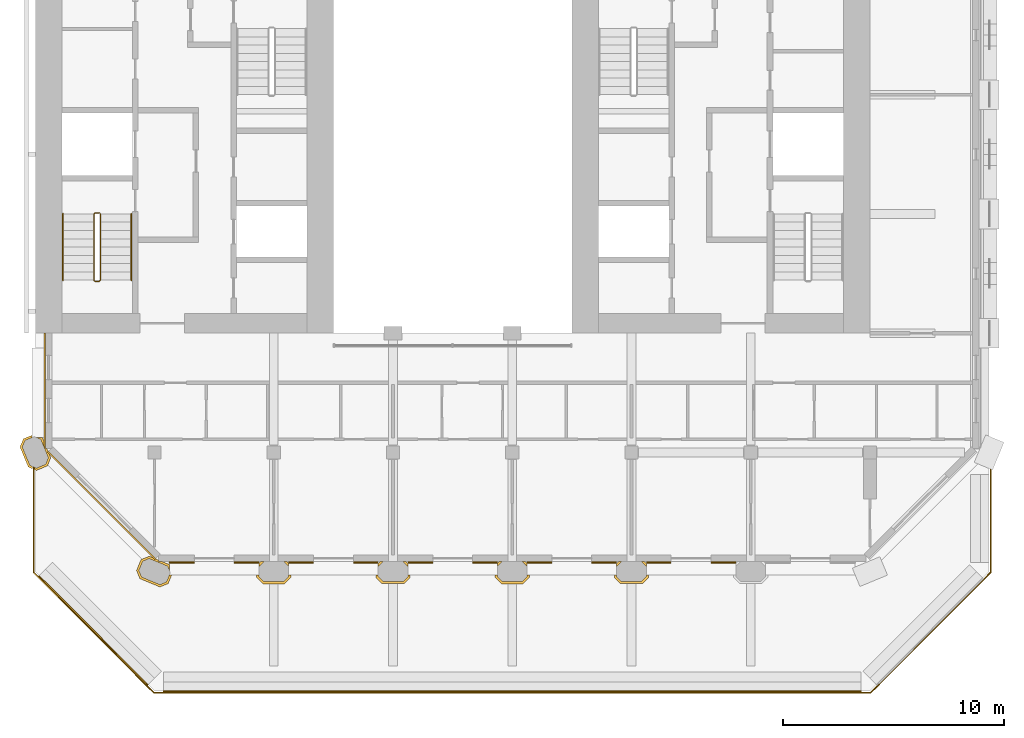
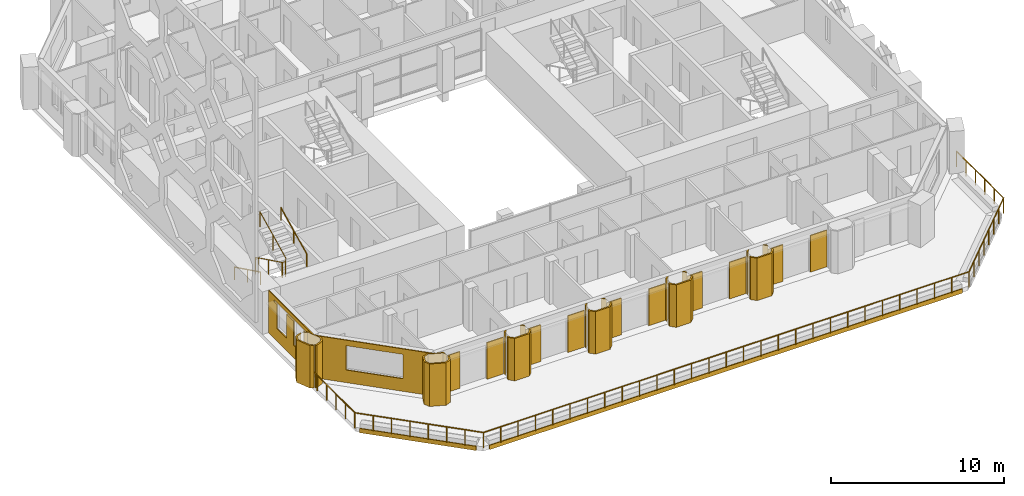
# One storey, part 15 of 17: 29 coverings, 4 railings.
"""IFC4 building model written with IfcOpenShell, lengths in metres."""

from ifc_helpers import new_model, si_unit, direction, frame, frame_2d, origin, origin_2d, place, context, subcontext, project, spatial, polyline, rectangle, circle, outline, extrude, material, layer, layer_set, type_object, element, save


model = new_model("IFC4")

# Units and contexts
model_context = context("Model", 3, precision=1e-05, world=origin(), true_north=direction((0.0, 1.0)))
body_context = subcontext(model_context, "Body", "Model", "MODEL_VIEW")
ifc_project = project(units=[si_unit("LENGTHUNIT", "METRE"), si_unit("AREAUNIT", "SQUARE_METRE"), si_unit("VOLUMEUNIT", "CUBIC_METRE"), si_unit("PLANEANGLEUNIT", "RADIAN"), si_unit("MASSUNIT", "GRAM", prefix="KILO")], contexts=[model_context])

# Site, building, storey
site_placement = place(None, origin())
site = spatial("IfcSite", under=ifc_project, at=site_placement, CompositionType="ELEMENT")
building_placement = place(site_placement, origin())
building = spatial("IfcBuilding", under=site, at=building_placement, Name="Tabaq Tower and Sports Hall", CompositionType="ELEMENT")
storey_placement = place(building_placement, frame((0.0, 0.0, 288.39990234375)))
storey = spatial("IfcBuildingStorey", under=building, at=storey_placement, Name="L71", CompositionType="ELEMENT", Elevation=288.39990234375)

# Coverings
ifc_material_1 = material(Name="Precast concrete C60/75", Category="concrete")
ifc_layer_1 = layer(ifc_material_1, 0.10009765625)
ifc_layer_set_1 = layer_set([ifc_layer_1], Name="Column cladding 100")
covering_type_1 = type_object("IfcCoveringType", Name="Column cladding 100", PredefinedType="CLADDING", material=ifc_layer_set_1)
covering_1_placement = place(storey_placement, origin())
element("IfcCovering", 1, at=covering_1_placement, inside=storey, type_object=covering_type_1, Name="Column cladding L71 PC-2C-R2", PredefinedType="CLADDING", context=body_context, shape_type="SweptSolid", body=[
    extrude(outline(polyline([(5.080078125, 10.1357421875), (4.7041015625, 11.04345703125), (4.857421875, 11.413818359375), (5.249755859375, 11.576171875), (5.249755859375, 11.474609375), (5.26416015625, 11.474609375), (4.93359375, 11.337646484375), (4.811767578125, 11.04345703125), (5.15625, 10.2119140625), (5.27978515625, 10.16064453125), (5.27978515625, 10.052978515625), (5.080078125, 10.1357421875)])), origin(), (0.0, 0.0, 1.0), 3.0),
])
covering_2_placement = place(storey_placement, origin())
element("IfcCovering", 2, at=covering_2_placement, inside=storey, type_object=covering_type_1, Name="Column cladding L71 PC-2C-R2 2", PredefinedType="CLADDING", context=body_context, shape_type="SweptSolid", body=[
    extrude(outline(polyline([(5.450439453125, 9.982421875), (5.3603515625, 10.019775390625), (5.3603515625, 10.127197265625), (5.450439453125, 10.08984375), (5.866455078125, 10.26220703125), (5.98828125, 10.556396484375), (5.643798828125, 11.38818359375), (5.434814453125, 11.474609375), (5.694580078125, 11.474609375), (5.7197265625, 11.46435546875), (5.789794921875, 11.295654296875), (5.789794921875, 11.04296875), (5.849609375, 11.04296875), (5.849609375, 10.986083984375), (5.91796875, 10.986083984375), (5.9814453125, 10.83251953125), (5.9501953125, 10.801025390625), (6.026123046875, 10.72509765625), (6.095947265625, 10.556396484375), (5.9423828125, 10.186279296875), (5.450439453125, 9.982421875)])), origin(), (0.0, 0.0, 1.0), 3.0),
])
covering_3_placement = place(storey_placement, origin())
element("IfcCovering", 3, at=covering_3_placement, inside=storey, type_object=covering_type_1, Name="Column cladding L71 PC-3B-R2", PredefinedType="CLADDING", context=body_context, shape_type="SweptSolid", body=[
    extrude(outline(polyline([(11.413818359375, 4.857421875), (11.04345703125, 4.7041015625), (10.1357421875, 5.080078125), (9.982421875, 5.450439453125), (10.186279296875, 5.9423828125), (10.556396484375, 6.095947265625), (10.72509765625, 6.026123046875), (10.801025390625, 5.9501953125), (10.83251953125, 5.9814453125), (10.986083984375, 5.91796875), (10.986083984375, 5.849609375), (11.15087890625, 5.849609375), (11.46435546875, 5.7197265625), (11.474609375, 5.694580078125), (11.474609375, 5.434814453125), (11.38818359375, 5.643798828125), (10.556396484375, 5.98828125), (10.26220703125, 5.866455078125), (10.08984375, 5.450439453125), (10.2119140625, 5.15625), (11.04345703125, 4.811767578125), (11.337646484375, 4.93359375), (11.474609375, 5.26416015625), (11.474609375, 5.249755859375), (11.576171875, 5.249755859375), (11.413818359375, 4.857421875)])), origin(), (0.0, 0.0, 1.0), 3.0),
])
covering_4_placement = place(storey_placement, origin())
element("IfcCovering", 4, at=covering_4_placement, inside=storey, type_object=covering_type_1, Name="Column cladding L71 PC-4B-R2", PredefinedType="CLADDING", context=body_context, shape_type="SweptSolid", body=[
    extrude(outline(polyline([(15.42529296875, 5.249755859375), (15.524658203125, 5.249755859375), (15.524658203125, 5.1748046875), (15.749755859375, 4.94970703125), (16.650146484375, 4.94970703125), (16.875244140625, 5.1748046875), (16.875244140625, 5.249755859375), (16.974609375, 5.249755859375), (16.974609375, 5.1337890625), (16.69140625, 4.850341796875), (15.708740234375, 4.850341796875), (15.42529296875, 5.1337890625), (15.42529296875, 5.249755859375)])), origin(), (0.0, 0.0, 1.0), 3.0),
])
covering_5_placement = place(storey_placement, origin())
element("IfcCovering", 5, at=covering_5_placement, inside=storey, type_object=covering_type_1, Name="Column cladding L71 PC-4B-R2 2", PredefinedType="CLADDING", context=body_context, shape_type="SweptSolid", body=[
    extrude(outline(polyline([(16.874755859375, 5.766357421875), (16.874755859375, 5.625732421875), (16.650634765625, 5.849609375), (16.791259765625, 5.849609375), (16.874755859375, 5.766357421875)])), origin(), (0.0, 0.0, 1.0), 3.0),
])
covering_6_placement = place(storey_placement, origin())
element("IfcCovering", 6, at=covering_6_placement, inside=storey, type_object=covering_type_1, Name="Column cladding L71 PC-4B-R2 3", PredefinedType="CLADDING", context=body_context, shape_type="SweptSolid", body=[
    extrude(outline(polyline([(15.608642578125, 5.849609375), (15.749267578125, 5.849609375), (15.525390625, 5.625732421875), (15.525390625, 5.766357421875), (15.608642578125, 5.849609375)])), origin(), (0.0, 0.0, 1.0), 3.0),
])
covering_7_placement = place(storey_placement, origin())
element("IfcCovering", 7, at=covering_7_placement, inside=storey, type_object=covering_type_1, Name="Column cladding L71 PC-5B-R2", PredefinedType="CLADDING", context=body_context, shape_type="SweptSolid", body=[
    extrude(outline(polyline([(20.82568359375, 5.24951171875), (20.92431640625, 5.24951171875), (20.92431640625, 5.1748046875), (21.149658203125, 4.949462890625), (22.05029296875, 4.949462890625), (22.275634765625, 5.1748046875), (22.275634765625, 5.24951171875), (22.37451171875, 5.24951171875), (22.37451171875, 5.1337890625), (22.091064453125, 4.8505859375), (21.10888671875, 4.8505859375), (20.82568359375, 5.1337890625), (20.82568359375, 5.24951171875)])), origin(), (0.0, 0.0, 1.0), 3.0),
])
covering_8_placement = place(storey_placement, origin())
element("IfcCovering", 8, at=covering_8_placement, inside=storey, type_object=covering_type_1, Name="Column cladding L71 PC-5B-R2 2", PredefinedType="CLADDING", context=body_context, shape_type="SweptSolid", body=[
    extrude(outline(polyline([(22.274658203125, 5.766357421875), (22.274658203125, 5.625732421875), (22.05078125, 5.849609375), (22.19140625, 5.849609375), (22.274658203125, 5.766357421875)])), origin(), (0.0, 0.0, 1.0), 3.0),
])
covering_9_placement = place(storey_placement, origin())
element("IfcCovering", 9, at=covering_9_placement, inside=storey, type_object=covering_type_1, Name="Column cladding L71 PC-5B-R2 3", PredefinedType="CLADDING", context=body_context, shape_type="SweptSolid", body=[
    extrude(outline(polyline([(20.925537109375, 5.62646484375), (20.925537109375, 5.76611328125), (21.0087890625, 5.849365234375), (21.1484375, 5.849365234375), (20.925537109375, 5.62646484375)])), origin(), (0.0, 0.0, 1.0), 3.0),
])
covering_10_placement = place(storey_placement, origin())
element("IfcCovering", 10, at=covering_10_placement, inside=storey, type_object=covering_type_1, Name="Column cladding L71 PC-6B-R2", PredefinedType="CLADDING", context=body_context, shape_type="SweptSolid", body=[
    extrude(outline(polyline([(26.225341796875, 5.249755859375), (26.32470703125, 5.249755859375), (26.32470703125, 5.1748046875), (26.5498046875, 4.94970703125), (27.4501953125, 4.94970703125), (27.67529296875, 5.1748046875), (27.67529296875, 5.249755859375), (27.774658203125, 5.249755859375), (27.774658203125, 5.1337890625), (27.4912109375, 4.850341796875), (26.5087890625, 4.850341796875), (26.225341796875, 5.1337890625), (26.225341796875, 5.249755859375)])), origin(), (0.0, 0.0, 1.0), 3.0),
])
covering_11_placement = place(storey_placement, origin())
element("IfcCovering", 11, at=covering_11_placement, inside=storey, type_object=covering_type_1, Name="Column cladding L71 PC-6B-R2 2", PredefinedType="CLADDING", context=body_context, shape_type="SweptSolid", body=[
    extrude(outline(polyline([(26.40869140625, 5.849609375), (26.54931640625, 5.849609375), (26.3251953125, 5.625732421875), (26.3251953125, 5.766357421875), (26.40869140625, 5.849609375)])), origin(), (0.0, 0.0, 1.0), 3.0),
])
covering_12_placement = place(storey_placement, origin())
element("IfcCovering", 12, at=covering_12_placement, inside=storey, type_object=covering_type_1, Name="Column cladding L71 PC-6B-R2 3", PredefinedType="CLADDING", context=body_context, shape_type="SweptSolid", body=[
    extrude(outline(polyline([(27.6748046875, 5.766357421875), (27.6748046875, 5.625732421875), (27.45068359375, 5.849609375), (27.59130859375, 5.849609375), (27.6748046875, 5.766357421875)])), origin(), (0.0, 0.0, 1.0), 3.0),
])
covering_13_placement = place(storey_placement, origin())
element("IfcCovering", 13, at=covering_13_placement, inside=storey, type_object=covering_type_1, Name="Column cladding L71 PC-7B-R2", PredefinedType="CLADDING", context=body_context, shape_type="SweptSolid", body=[
    extrude(outline(polyline([(31.62548828125, 5.24951171875), (31.724365234375, 5.24951171875), (31.724365234375, 5.1748046875), (31.94970703125, 4.949462890625), (32.850341796875, 4.949462890625), (33.07568359375, 5.1748046875), (33.07568359375, 5.24951171875), (33.17431640625, 5.24951171875), (33.17431640625, 5.1337890625), (32.89111328125, 4.8505859375), (31.908935546875, 4.8505859375), (31.62548828125, 5.1337890625), (31.62548828125, 5.24951171875)])), origin(), (0.0, 0.0, 1.0), 3.0),
])
covering_14_placement = place(storey_placement, origin())
element("IfcCovering", 14, at=covering_14_placement, inside=storey, type_object=covering_type_1, Name="Column cladding L71 PC-7B-R2 2", PredefinedType="CLADDING", context=body_context, shape_type="SweptSolid", body=[
    extrude(outline(polyline([(31.80859375, 5.849609375), (31.94921875, 5.849609375), (31.725341796875, 5.625732421875), (31.725341796875, 5.766357421875), (31.80859375, 5.849609375)])), origin(), (0.0, 0.0, 1.0), 3.0),
])
covering_15_placement = place(storey_placement, origin())
element("IfcCovering", 15, at=covering_15_placement, inside=storey, type_object=covering_type_1, Name="Column cladding L71 PC-7B-R2 3", PredefinedType="CLADDING", context=body_context, shape_type="SweptSolid", body=[
    extrude(outline(polyline([(33.074462890625, 5.62646484375), (32.8515625, 5.849365234375), (32.9912109375, 5.849365234375), (33.074462890625, 5.76611328125), (33.074462890625, 5.62646484375)])), origin(), (0.0, 0.0, 1.0), 3.0),
])
ifc_material_2 = material(Name="Precast concrete C60/75", Category="concrete")
ifc_layer_2 = layer(ifc_material_2, 0.06005859375)
ifc_layer_set_2 = layer_set([ifc_layer_2], Name="Edge beam cladding 60")
covering_type_2 = type_object("IfcCoveringType", Name="Edge beam cladding 60", PredefinedType="CLADDING", material=ifc_layer_set_2)
covering_16_placement = place(storey_placement, frame((5.5556640625, 5.201904296875, -0.2998046875), z_axis=(0.0, 0.0, 1.0), x_axis=(0.707106781187, -0.707106781187, 0.0)))
element("IfcCovering", 16, at=covering_16_placement, inside=storey, type_object=covering_type_2, Name="Edge beam cladding L71 7", PredefinedType="CLADDING", context=body_context, shape_type="SweptSolid", body=[
    extrude(rectangle(XDim=6.984375, YDim=0.06005859375, at=frame_2d((3.4921875, 0.0))), origin(), (0.0, 0.0, 1.0), 0.2998046875),
])
covering_17_placement = place(storey_placement, frame((11.2021484375, -0.030029296875, -0.2998046875), z_axis=(0.0, 0.0, 1.0), x_axis=(1.0, 0.0, 0.0)))
element("IfcCovering", 17, at=covering_17_placement, inside=storey, type_object=covering_type_2, Name="Edge beam cladding L71 8", PredefinedType="CLADDING", context=body_context, shape_type="SweptSolid", body=[
    extrude(rectangle(XDim=31.595703125, YDim=0.06005859375, at=frame_2d((15.7978515625, 0.0))), origin(), (0.0, 0.0, 1.0), 0.2998046875),
])

# Railings
ifc_material_3 = material(Name="Stainless steel S316 and laminated glass", Category="steel")
railing_type_1 = type_object("IfcRailingType", Name="Guard 1100 steel and glass", PredefinedType="GUARDRAIL", material=ifc_material_3)
railing_1_placement = place(storey_placement, frame((48.679931640625, 10.800048828125, 0.0)))
element("IfcRailing", 18, at=railing_1_placement, inside=storey, type_object=railing_type_1, Name="Terrace guard L71", PredefinedType="GUARDRAIL", context=body_context, shape_type="SweptSolid", body=[
    extrude(circle(Radius=0.02490234375, at=origin_2d()), frame((0.0, 0.0, 1.0751953125), z_axis=(0.0, -1.0, 0.0), x_axis=(1.0, 0.0, 0.0)), (0.0, 0.0, 1.0), 5.43310546875),
    extrude(circle(Radius=0.02490234375, at=origin_2d()), frame((0.0, -5.43310546875, 1.0751953125), z_axis=(-0.707090934058, -0.70712262796, 0.0), x_axis=(0.70712262796, -0.707090934058, 0.0)), (0.0, 0.0, 1.0), 7.703125),
    extrude(circle(Radius=0.02490234375, at=origin_2d()), frame((-5.44677734375, -10.880126953125, 1.0751953125), z_axis=(-1.0, 0.0, 0.0), x_axis=(0.0, -1.0, 0.0)), (0.0, 0.0, 1.0), 32.46630859375),
    extrude(circle(Radius=0.02490234375, at=origin_2d()), frame((-37.9130859375, -10.880126953125, 1.0751953125), z_axis=(-0.707090934058, 0.70712262796, 0.0), x_axis=(-0.70712262796, -0.707090934058, 0.0)), (0.0, 0.0, 1.0), 7.703125),
    extrude(circle(Radius=0.02490234375, at=origin_2d()), frame((-43.35986328125, -5.43310546875, 1.0751953125), z_axis=(0.0, 1.0, 0.0), x_axis=(-1.0, 0.0, 0.0)), (0.0, 0.0, 1.0), 5.43310546875),
    extrude(circle(Radius=0.02001953125, at=origin_2d()), origin(), (0.0, 0.0, 1.0), 1.050048828125),
    extrude(circle(Radius=0.02001953125, at=origin_2d()), frame((0.0, -1.086669921875, 0.0)), (0.0, 0.0, 1.0), 1.050048828125),
    extrude(circle(Radius=0.02001953125, at=origin_2d()), frame((0.0, -2.17333984375, 0.0)), (0.0, 0.0, 1.0), 1.050048828125),
    extrude(circle(Radius=0.02001953125, at=origin_2d()), frame((0.0, -3.259765625, 0.0)), (0.0, 0.0, 1.0), 1.050048828125),
    extrude(circle(Radius=0.02001953125, at=origin_2d()), frame((0.0, -4.346435546875, 0.0)), (0.0, 0.0, 1.0), 1.050048828125),
    extrude(circle(Radius=0.02001953125, at=origin_2d()), frame((0.0, -5.43310546875, 0.0)), (0.0, 0.0, 1.0), 1.050048828125),
    extrude(circle(Radius=0.02001953125, at=origin_2d()), frame((-0.778076171875, -6.211181640625, 0.0)), (0.0, 0.0, 1.0), 1.050048828125),
    extrude(circle(Radius=0.02001953125, at=origin_2d()), frame((-1.55615234375, -6.989501953125, 0.0)), (0.0, 0.0, 1.0), 1.050048828125),
    extrude(circle(Radius=0.02001953125, at=origin_2d()), frame((-2.334228515625, -7.767578125, 0.0)), (0.0, 0.0, 1.0), 1.050048828125),
    extrude(circle(Radius=0.02001953125, at=origin_2d()), frame((-3.112548828125, -8.545654296875, 0.0)), (0.0, 0.0, 1.0), 1.050048828125),
    extrude(circle(Radius=0.02001953125, at=origin_2d()), frame((-3.890625, -9.32373046875, 0.0)), (0.0, 0.0, 1.0), 1.050048828125),
    extrude(circle(Radius=0.02001953125, at=origin_2d()), frame((-4.668701171875, -10.10205078125, 0.0)), (0.0, 0.0, 1.0), 1.050048828125),
    extrude(circle(Radius=0.02001953125, at=origin_2d()), frame((-5.44677734375, -10.880126953125, 0.0)), (0.0, 0.0, 1.0), 1.050048828125),
    extrude(circle(Radius=0.02001953125, at=origin_2d()), frame((-6.606201171875, -10.880126953125, 0.0)), (0.0, 0.0, 1.0), 1.050048828125),
    extrude(circle(Radius=0.02001953125, at=origin_2d()), frame((-7.765869140625, -10.880126953125, 0.0)), (0.0, 0.0, 1.0), 1.050048828125),
    extrude(circle(Radius=0.02001953125, at=origin_2d()), frame((-8.92529296875, -10.880126953125, 0.0)), (0.0, 0.0, 1.0), 1.050048828125),
    extrude(circle(Radius=0.02001953125, at=origin_2d()), frame((-10.084716796875, -10.880126953125, 0.0)), (0.0, 0.0, 1.0), 1.050048828125),
    extrude(circle(Radius=0.02001953125, at=origin_2d()), frame((-11.244384765625, -10.880126953125, 0.0)), (0.0, 0.0, 1.0), 1.050048828125),
    extrude(circle(Radius=0.02001953125, at=origin_2d()), frame((-12.40380859375, -10.880126953125, 0.0)), (0.0, 0.0, 1.0), 1.050048828125),
    extrude(circle(Radius=0.02001953125, at=origin_2d()), frame((-13.5634765625, -10.880126953125, 0.0)), (0.0, 0.0, 1.0), 1.050048828125),
    extrude(circle(Radius=0.02001953125, at=origin_2d()), frame((-14.722900390625, -10.880126953125, 0.0)), (0.0, 0.0, 1.0), 1.050048828125),
    extrude(circle(Radius=0.02001953125, at=origin_2d()), frame((-15.88232421875, -10.880126953125, 0.0)), (0.0, 0.0, 1.0), 1.050048828125),
    extrude(circle(Radius=0.02001953125, at=origin_2d()), frame((-17.0419921875, -10.880126953125, 0.0)), (0.0, 0.0, 1.0), 1.050048828125),
    extrude(circle(Radius=0.02001953125, at=origin_2d()), frame((-18.201416015625, -10.880126953125, 0.0)), (0.0, 0.0, 1.0), 1.050048828125),
    extrude(circle(Radius=0.02001953125, at=origin_2d()), frame((-19.36083984375, -10.880126953125, 0.0)), (0.0, 0.0, 1.0), 1.050048828125),
    extrude(circle(Radius=0.02001953125, at=origin_2d()), frame((-20.5205078125, -10.880126953125, 0.0)), (0.0, 0.0, 1.0), 1.050048828125),
    extrude(circle(Radius=0.02001953125, at=origin_2d()), frame((-21.679931640625, -10.880126953125, 0.0)), (0.0, 0.0, 1.0), 1.050048828125),
    extrude(circle(Radius=0.02001953125, at=origin_2d()), frame((-22.83935546875, -10.880126953125, 0.0)), (0.0, 0.0, 1.0), 1.050048828125),
    extrude(circle(Radius=0.02001953125, at=origin_2d()), frame((-23.9990234375, -10.880126953125, 0.0)), (0.0, 0.0, 1.0), 1.050048828125),
    extrude(circle(Radius=0.02001953125, at=origin_2d()), frame((-25.158447265625, -10.880126953125, 0.0)), (0.0, 0.0, 1.0), 1.050048828125),
    extrude(circle(Radius=0.02001953125, at=origin_2d()), frame((-26.31787109375, -10.880126953125, 0.0)), (0.0, 0.0, 1.0), 1.050048828125),
    extrude(circle(Radius=0.02001953125, at=origin_2d()), frame((-27.4775390625, -10.880126953125, 0.0)), (0.0, 0.0, 1.0), 1.050048828125),
    extrude(circle(Radius=0.02001953125, at=origin_2d()), frame((-28.636962890625, -10.880126953125, 0.0)), (0.0, 0.0, 1.0), 1.050048828125),
    extrude(circle(Radius=0.02001953125, at=origin_2d()), frame((-29.79638671875, -10.880126953125, 0.0)), (0.0, 0.0, 1.0), 1.050048828125),
    extrude(circle(Radius=0.02001953125, at=origin_2d()), frame((-30.9560546875, -10.880126953125, 0.0)), (0.0, 0.0, 1.0), 1.050048828125),
    extrude(circle(Radius=0.02001953125, at=origin_2d()), frame((-32.115478515625, -10.880126953125, 0.0)), (0.0, 0.0, 1.0), 1.050048828125),
    extrude(circle(Radius=0.02001953125, at=origin_2d()), frame((-33.275146484375, -10.880126953125, 0.0)), (0.0, 0.0, 1.0), 1.050048828125),
    extrude(circle(Radius=0.02001953125, at=origin_2d()), frame((-34.4345703125, -10.880126953125, 0.0)), (0.0, 0.0, 1.0), 1.050048828125),
    extrude(circle(Radius=0.02001953125, at=origin_2d()), frame((-35.593994140625, -10.880126953125, 0.0)), (0.0, 0.0, 1.0), 1.050048828125),
    extrude(circle(Radius=0.02001953125, at=origin_2d()), frame((-36.753662109375, -10.880126953125, 0.0)), (0.0, 0.0, 1.0), 1.050048828125),
    extrude(circle(Radius=0.02001953125, at=origin_2d()), frame((-37.9130859375, -10.880126953125, 0.0)), (0.0, 0.0, 1.0), 1.050048828125),
    extrude(circle(Radius=0.02001953125, at=origin_2d()), frame((-38.691162109375, -10.10205078125, 0.0)), (0.0, 0.0, 1.0), 1.050048828125),
    extrude(circle(Radius=0.02001953125, at=origin_2d()), frame((-39.46923828125, -9.32373046875, 0.0)), (0.0, 0.0, 1.0), 1.050048828125),
    extrude(circle(Radius=0.02001953125, at=origin_2d()), frame((-40.247314453125, -8.545654296875, 0.0)), (0.0, 0.0, 1.0), 1.050048828125),
    extrude(circle(Radius=0.02001953125, at=origin_2d()), frame((-41.025634765625, -7.767578125, 0.0)), (0.0, 0.0, 1.0), 1.050048828125),
    extrude(circle(Radius=0.02001953125, at=origin_2d()), frame((-41.8037109375, -6.989501953125, 0.0)), (0.0, 0.0, 1.0), 1.050048828125),
    extrude(circle(Radius=0.02001953125, at=origin_2d()), frame((-42.581787109375, -6.211181640625, 0.0)), (0.0, 0.0, 1.0), 1.050048828125),
    extrude(circle(Radius=0.02001953125, at=origin_2d()), frame((-43.35986328125, -5.43310546875, 0.0)), (0.0, 0.0, 1.0), 1.050048828125),
    extrude(circle(Radius=0.02001953125, at=origin_2d()), frame((-43.35986328125, -4.346435546875, 0.0)), (0.0, 0.0, 1.0), 1.050048828125),
    extrude(circle(Radius=0.02001953125, at=origin_2d()), frame((-43.35986328125, -3.259765625, 0.0)), (0.0, 0.0, 1.0), 1.050048828125),
    extrude(circle(Radius=0.02001953125, at=origin_2d()), frame((-43.35986328125, -2.17333984375, 0.0)), (0.0, 0.0, 1.0), 1.050048828125),
    extrude(circle(Radius=0.02001953125, at=origin_2d()), frame((-43.35986328125, -1.086669921875, 0.0)), (0.0, 0.0, 1.0), 1.050048828125),
    extrude(circle(Radius=0.02001953125, at=origin_2d()), frame((-43.35986328125, 0.0, 0.0)), (0.0, 0.0, 1.0), 1.050048828125),
])
ifc_material_4 = material(Name="Stainless steel", Category="steel")
railing_type_2 = type_object("IfcRailingType", Name="Stair guard", PredefinedType="GUARDRAIL", material=ifc_material_4)
railing_2_placement = place(storey_placement, frame((8.300048828125, 21.64990234375, 0.0)))
element("IfcRailing", 19, at=railing_2_placement, inside=storey, type_object=railing_type_2, Name="L71 ST1 stair guard 1", PredefinedType="GUARDRAIL", context=body_context, shape_type="SweptSolid", body=[
    extrude(circle(Radius=0.02392578125, at=origin_2d()), frame((0.0, 0.0, 1.076171875), z_axis=(-1.0, 0.0, 0.0), x_axis=(0.0, -1.0, 0.0)), (0.0, 0.0, 1.0), 0.199951171875),
    extrude(circle(Radius=0.02392578125, at=origin_2d()), frame((-0.199951171875, 0.0, 1.076171875), z_axis=(-0.254733673405, -0.25349107012, 0.933195066962), x_axis=(0.705375805398, -0.708833529934, 0.0)), (0.0, 0.0, 1.0), 0.196533203125),
    extrude(circle(Radius=0.02392578125, at=origin_2d()), frame((-0.25, -0.0498046875, 1.25927734375), z_axis=(0.0, -0.898368975038, 0.439241601728), x_axis=(1.0, 0.0, 0.0)), (0.0, 0.0, 1.0), 3.33935546875),
    extrude(circle(Radius=0.02392578125, at=origin_2d()), frame((-0.25, -3.0498046875, 2.72607421875), z_axis=(0.707106781187, -0.707106781187, 0.0), x_axis=(0.707106781187, 0.707106781187, 0.0)), (0.0, 0.0, 1.0), 0.07080078125),
    extrude(circle(Radius=0.02392578125, at=origin_2d()), frame((-0.199951171875, -3.099853515625, 2.72607421875), z_axis=(1.0, 0.0, 0.0), x_axis=(0.0, 1.0, 0.0)), (0.0, 0.0, 1.0), 0.199951171875),
    extrude(circle(Radius=0.02392578125, at=origin_2d()), frame((0.0, -3.099853515625, 2.72607421875), z_axis=(0.254653276557, 0.254653276557, 0.932900539971), x_axis=(-0.707106781187, 0.707106781187, 0.0)), (0.0, 0.0, 1.0), 0.196533203125),
    extrude(circle(Radius=0.02392578125, at=origin_2d()), frame((0.050048828125, -3.0498046875, 2.90966796875), z_axis=(0.0, 0.898397823093, 0.439182594671), x_axis=(-1.0, 0.0, 0.0)), (0.0, 0.0, 1.0), 3.33935546875),
    extrude(circle(Radius=0.02099609375, at=origin_2d()), origin(), (0.0, 0.0, 1.0), 1.052001953125),
    extrude(circle(Radius=0.02099609375, at=origin_2d()), frame((-0.199951171875, 0.0, 0.0)), (0.0, 0.0, 1.0), 1.052001953125),
    extrude(circle(Radius=0.02099609375, at=origin_2d()), frame((-0.25, -0.0498046875, 0.183349609375)), (0.0, 0.0, 1.0), 1.052001953125),
    extrude(circle(Radius=0.02099609375, at=origin_2d()), frame((-0.25, -1.5498046875, 0.916748046875)), (0.0, 0.0, 1.0), 1.052001953125),
    extrude(circle(Radius=0.02099609375, at=origin_2d()), frame((-0.25, -3.0498046875, 1.650146484375)), (0.0, 0.0, 1.0), 1.052001953125),
    extrude(circle(Radius=0.02099609375, at=origin_2d()), frame((-0.199951171875, -3.099853515625, 1.650146484375)), (0.0, 0.0, 1.0), 1.052001953125),
    extrude(circle(Radius=0.02099609375, at=origin_2d()), frame((0.0, -3.099853515625, 1.650146484375)), (0.0, 0.0, 1.0), 1.052001953125),
    extrude(circle(Radius=0.02099609375, at=origin_2d()), frame((0.050048828125, -3.0498046875, 1.83349609375)), (0.0, 0.0, 1.0), 1.052001953125),
    extrude(circle(Radius=0.02099609375, at=origin_2d()), frame((0.050048828125, -1.5498046875, 2.56689453125)), (0.0, 0.0, 1.0), 1.052001953125),
    extrude(circle(Radius=0.02099609375, at=origin_2d()), frame((0.050048828125, -0.0498046875, 3.300048828125)), (0.0, 0.0, 1.0), 1.052001953125),
])
ifc_material_5 = material(Name="Stainless steel", Category="steel")
railing_type_3 = type_object("IfcRailingType", Name="Stair handrail", PredefinedType="HANDRAIL", material=ifc_material_5)
railing_3_placement = place(storey_placement, frame((6.64990234375, 21.60009765625, 0.183349609375)))
element("IfcRailing", 20, at=railing_3_placement, inside=storey, type_object=railing_type_3, Name="L71 ST1 stair handrail 1", PredefinedType="HANDRAIL", context=body_context, shape_type="SweptSolid", body=[
    extrude(circle(Radius=0.02392578125, at=origin_2d()), frame((0.0, 0.0, 0.8759765625), z_axis=(0.0, -0.898368975038, 0.439241601728), x_axis=(1.0, 0.0, 0.0)), (0.0, 0.0, 1.0), 3.33935546875),
    extrude(circle(Radius=0.02099609375, at=origin_2d()), origin(), (0.0, 0.0, 1.0), 0.851806640625),
    extrude(circle(Radius=0.02099609375, at=origin_2d()), frame((0.0, -1.5, 0.7333984375)), (0.0, 0.0, 1.0), 0.851806640625),
    extrude(circle(Radius=0.02099609375, at=origin_2d()), frame((0.0, -3.0, 1.466796875)), (0.0, 0.0, 1.0), 0.851806640625),
])
railing_4_placement = place(storey_placement, frame((9.75, 18.60009765625, 1.83349609375)))
element("IfcRailing", 21, at=railing_4_placement, inside=storey, type_object=railing_type_3, Name="L71 ST1 stair handrail 2", PredefinedType="HANDRAIL", context=body_context, shape_type="SweptSolid", body=[
    extrude(circle(Radius=0.02392578125, at=origin_2d()), frame((0.0, 0.0, 0.8759765625), z_axis=(0.0, 0.898397823093, 0.439182594671), x_axis=(-1.0, 0.0, 0.0)), (0.0, 0.0, 1.0), 3.33935546875),
    extrude(circle(Radius=0.02099609375, at=origin_2d()), origin(), (0.0, 0.0, 1.0), 0.851806640625),
    extrude(circle(Radius=0.02099609375, at=origin_2d()), frame((0.0, 1.5, 0.7333984375)), (0.0, 0.0, 1.0), 0.851806640625),
    extrude(circle(Radius=0.02099609375, at=origin_2d()), frame((0.0, 3.0, 1.466552734375)), (0.0, 0.0, 1.0), 0.851806640625),
])

# Coverings
ifc_material_6 = material(Name="Precast concrete C60/75", Category="concrete")
ifc_layer_3 = layer(ifc_material_6, 0.06005859375)
ifc_layer_set_3 = layer_set([ifc_layer_3], Name="White precast cladding panel 60 C60/75")
covering_type_3 = type_object("IfcCoveringType", Name="White precast cladding panel 60 C60/75", PredefinedType="CLADDING", material=ifc_layer_set_3)
covering_18_placement = place(storey_placement, frame((11.465087890625, 5.820068359375, 0.0), z_axis=(0.0, 0.0, 1.0), x_axis=(1.0, 0.0, 0.0)))
element("IfcCovering", 22, at=covering_18_placement, inside=storey, type_object=covering_type_3, Name="White precast cladding panel L71 wall00", PredefinedType="CLADDING", context=body_context, shape_type="SweptSolid", body=[
    extrude(rectangle(XDim=1.125, YDim=0.06005859375, at=frame_2d((0.5625, 0.0))), origin(), (0.0, 0.0, 1.0), 2.590087890625),
])
for number, where, z_axis, x_axis, name in (
    (23, (14.409912109375, 5.820068359375, 0.0), (0.0, 0.0, 1.0), (1.0, 0.0, 0.0), "White precast cladding panel L71 wall00 2"),
    (24, (16.885009765625, 5.820068359375, 0.0), (0.0, 0.0, 1.0), (1.0, 0.0, 0.0), "White precast cladding panel L71 wall00 3"),
    (25, (19.81005859375, 5.820068359375, 0.0), (0.0, 0.0, 1.0), (1.0, 0.0, 0.0), "White precast cladding panel L71 wall00 4"),
    (26, (22.284912109375, 5.820068359375, 0.0), (0.0, 0.0, 1.0), (1.0, 0.0, 0.0), "White precast cladding panel L71 wall00 5"),
    (27, (25.2099609375, 5.820068359375, 0.0), (0.0, 0.0, 1.0), (1.0, 0.0, 0.0), "White precast cladding panel L71 wall00 6"),
    (28, (27.68505859375, 5.820068359375, 0.0), (0.0, 0.0, 1.0), (1.0, 0.0, 0.0), "White precast cladding panel L71 wall00 7"),
    (29, (30.610107421875, 5.820068359375, 0.0), (0.0, 0.0, 1.0), (1.0, 0.0, 0.0), "White precast cladding panel L71 wall00 8"),
    (30, (33.0849609375, 5.820068359375, 0.0), (0.0, 0.0, 1.0), (1.0, 0.0, 0.0), "White precast cladding panel L71 wall00 9"),
    (31, (36.010009765625, 5.820068359375, 0.0), (0.0, 0.0, 1.0), (1.0, 0.0, 0.0), "White precast cladding panel L71 wall00 10"),
):
    element("IfcCovering", number, at=place(storey_placement, frame(where, z_axis=z_axis, x_axis=x_axis)), inside=storey, type_object=covering_type_3, Name=name, PredefinedType="CLADDING", context=body_context, shape_type="SweptSolid", body=[
        extrude(rectangle(XDim=1.10498046875, YDim=0.06005859375, at=frame_2d((0.552490234375, 0.0))), origin(), (0.0, 0.0, 1.0), 2.590087890625),
    ])
covering_19_placement = place(storey_placement, frame((5.820068359375, 16.199951171875, 0.0), z_axis=(0.0, 0.0, 1.0), x_axis=(0.0, -1.0, 0.0)))
element("IfcCovering", 32, at=covering_19_placement, inside=storey, type_object=covering_type_3, Name="White precast cladding panel L71 wall06-1", PredefinedType="CLADDING", context=body_context, shape_type="SweptSolid", body=[
    extrude(outline(polyline([(0.0, 0.0), (5.15673828125, 0.0), (5.15673828125, 3.0), (0.0, 3.0), (0.0, 0.0)]), holes=[polyline([(0.989990234375, 2.590087890625), (0.6650390625, 2.590087890625), (0.6650390625, 2.710205078125), (4.735107421875, 2.710205078125), (4.735107421875, 2.590087890625), (4.06005859375, 2.590087890625), (4.06005859375, 0.89013671875), (2.93994140625, 0.89013671875), (2.93994140625, 2.590087890625), (2.110107421875, 2.590087890625), (2.110107421875, 0.89013671875), (0.989990234375, 0.89013671875), (0.989990234375, 2.590087890625)])]), frame((0.0, 0.030029296875, 0.0), z_axis=(0.0, -1.0, 0.0), x_axis=(1.0, 0.0, 0.0)), (0.0, 0.0, 1.0), 0.06005859375),
])
covering_20_placement = place(storey_placement, frame((5.9716796875, 10.822265625, 0.0), z_axis=(0.0, 0.0, 1.0), x_axis=(0.707106781187, -0.707106781187, 0.0)))
element("IfcCovering", 33, at=covering_20_placement, inside=storey, type_object=covering_type_3, Name="White precast cladding panel L71 wall07", PredefinedType="CLADDING", context=body_context, shape_type="SweptSolid", body=[
    extrude(outline(polyline([(0.0, 0.0), (6.85986328125, 0.0), (6.85986328125, 3.0), (0.0, 3.0), (0.0, 0.0)]), holes=[polyline([(1.7197265625, 0.89013671875), (1.7197265625, 2.610107421875), (5.139892578125, 2.610107421875), (5.139892578125, 0.89013671875), (1.7197265625, 0.89013671875)])]), frame((0.0, 0.030029296875, 0.0), z_axis=(0.0, -1.0, 0.0), x_axis=(1.0, 0.0, 0.0)), (0.0, 0.0, 1.0), 0.06005859375),
])

save(model, "model.ifc")
